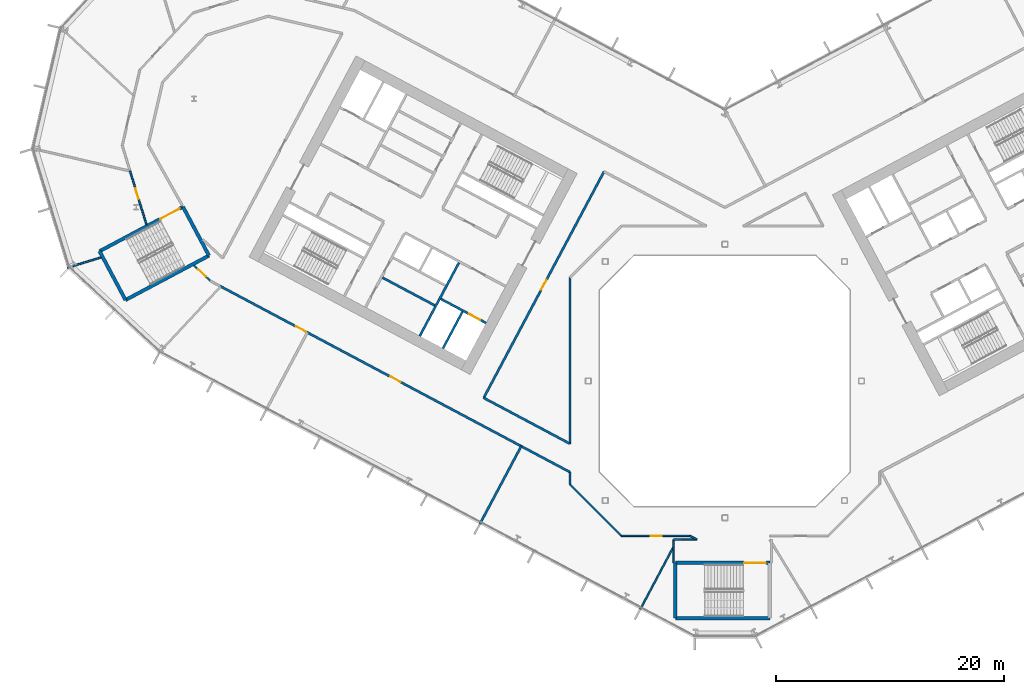
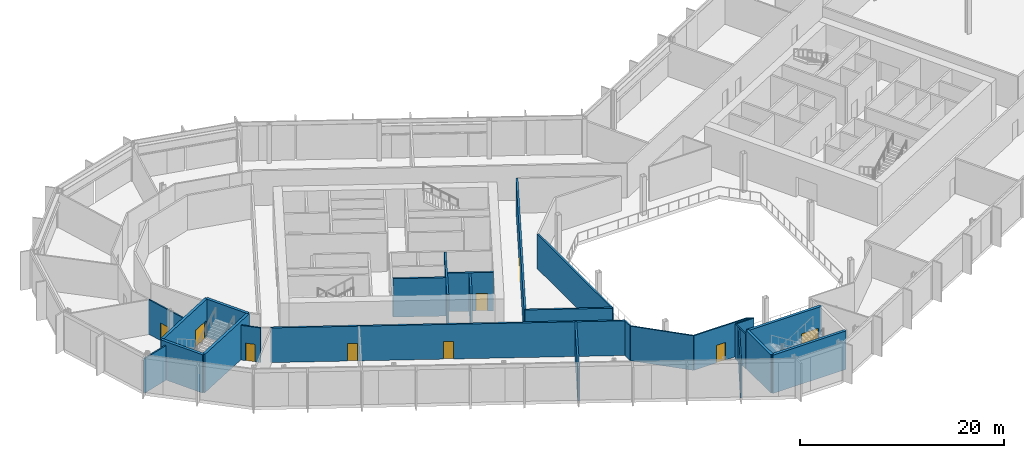
# One storey, part 14 of 31: 26 walls, 9 doors, 9 openings.
"""IFC4 building model written with IfcOpenShell, lengths in metres."""

from ifc_helpers import new_model, si_unit, direction, frame, frame_2d, origin, place, context, subcontext, project, spatial, rectangle, extrude, material, layer, layer_set, type_object, element, fill, save


model = new_model("IFC4")

# Units and contexts
model_context = context("Model", 3, precision=1e-05, world=origin(), true_north=direction((0.0, 1.0)))
body_context = subcontext(model_context, "Body", "Model", "MODEL_VIEW")
ifc_project = project(units=[si_unit("LENGTHUNIT", "METRE"), si_unit("AREAUNIT", "SQUARE_METRE"), si_unit("VOLUMEUNIT", "CUBIC_METRE"), si_unit("PLANEANGLEUNIT", "RADIAN"), si_unit("MASSUNIT", "GRAM", prefix="KILO")], contexts=[model_context])

# Site, building, storey
site_placement = place(None, origin())
site = spatial("IfcSite", under=ifc_project, at=site_placement, CompositionType="ELEMENT")
building_placement = place(site_placement, origin())
building = spatial("IfcBuilding", under=site, at=building_placement, Name="Cormorant Relay Tower", CompositionType="ELEMENT")
storey_placement = place(building_placement, frame((0.0, 0.0, 107.60009765625)))
storey = spatial("IfcBuildingStorey", under=building, at=storey_placement, Name="L21", CompositionType="ELEMENT", Elevation=107.60009765625)

# Walls
ifc_material_1 = material(Name="Concrete 40 MPa", Category="concrete")
ifc_layer_1 = layer(ifc_material_1, 0.199951171875)
ifc_layer_set_1 = layer_set([ifc_layer_1], Name="Core internal wall 200")
wall_type_1 = type_object("IfcWallType", Name="Core internal wall 200", PredefinedType="SOLIDWALL", material=ifc_layer_set_1)
wall_1_placement = place(storey_placement, frame((-25.46728515625, 6.632568359375, 0.0), z_axis=(0.0, 0.0, 1.0), x_axis=(-0.882953967957, 0.469459572775, 0.0)))
element("IfcWall", 1, at=wall_1_placement, inside=storey, type_object=wall_type_1, Name="L21 core A shaft and room wall", PredefinedType="SOLIDWALL", context=body_context, shape_type="SweptSolid", body=[
    extrude(rectangle(XDim=5.199951171875, YDim=0.199951171875, at=frame_2d((2.60009765625, 0.0))), origin(), (0.0, 0.0, 1.0), 4.599853515625),
])
ifc_material_2 = material(Name="Concrete 50 MPa", Category="concrete")
ifc_layer_2 = layer(ifc_material_2, 0.199951171875)
ifc_layer_set_2 = layer_set([ifc_layer_2], Name="Core shaft wall 200")
wall_type_2 = type_object("IfcWallType", Name="Core shaft wall 200", PredefinedType="SHEAR", material=ifc_layer_set_2)
wall_2_placement = place(storey_placement, frame((-23.04296875, 6.07958984375, 0.0), z_axis=(0.0, 0.0, 1.0), x_axis=(-0.469494272526, -0.882935517501, 0.0)))
element("IfcWall", 2, at=wall_2_placement, inside=storey, type_object=wall_type_2, Name="L21 core A shaft wall", PredefinedType="SHEAR", context=body_context, shape_type="SweptSolid", body=[
    extrude(rectangle(XDim=3.64990234375, YDim=0.199951171875, at=frame_2d((1.824951171875, 0.0))), origin(), (0.0, 0.0, 1.0), 4.599853515625),
])
wall_3_placement = place(storey_placement, frame((-23.360107421875, 10.38232421875, 0.0), z_axis=(0.0, 0.0, 1.0), x_axis=(-0.469480409012, -0.88294288918, 0.0)))
element("IfcWall", 3, at=wall_3_placement, inside=storey, type_object=wall_type_2, Name="L21 core A shaft wall", PredefinedType="SHEAR", context=body_context, shape_type="SweptSolid", body=[
    extrude(rectangle(XDim=7.300048828125, YDim=0.199951171875, at=frame_2d((3.64990234375, 0.0))), origin(), (0.0, 0.0, 1.0), 4.599853515625),
])

# Wall, opening, door
wall_4_placement = place(storey_placement, frame((-20.96533203125, 5.088134765625, 0.0), z_axis=(0.0, 0.0, 1.0), x_axis=(-0.882925986334, 0.469512196493, 0.0)))
wall_4 = element("IfcWall", 4, at=wall_4_placement, inside=storey, type_object=wall_type_2, Name="L21 core A shaft wall", PredefinedType="SHEAR", context=body_context, shape_type="SweptSolid", body=[
    extrude(rectangle(XDim=4.5, YDim=0.199951171875, at=frame_2d((2.25, 0.0))), origin(), (0.0, 0.0, 1.0), 4.599853515625),
])
opening_1_placement = place(wall_4_placement, frame((0.60009765625, 0.0, 0.0)))
opening_1 = element("IfcOpeningElement", 5, at=opening_1_placement, cuts=wall_4, Name="Opening LD1-027", PredefinedType="OPENING", context=body_context, shape_type="SweptSolid", body=[
    extrude(rectangle(XDim=1.10009765625, YDim=2.10009765625, at=frame_2d((0.550048828125, 1.050048828125))), frame((0.0, 0.10986328125, 0.0), z_axis=(0.0, -1.0, 0.0), x_axis=(1.0, 0.0, 0.0)), (0.0, 0.0, 1.0), 0.219970703125),
])
ifc_material_3 = material(Name="Stainless steel 316", Category="steel")
door_type_1 = type_object("IfcDoorType", Name="Lift landing door 1100x2100", OperationType="DOUBLE_DOOR_SLIDING", PredefinedType="DOOR", material=ifc_material_3)
door_1_placement = place(opening_1_placement, origin())
door_1 = element("IfcDoor", 6, at=door_1_placement, inside=storey, type_object=door_type_1, Name="FF1 landing door", OperationType="DOUBLE_DOOR_SLIDING", OverallHeight=2.10009765625, OverallWidth=1.10009765625, PredefinedType="DOOR", context=body_context, shape_type="SweptSolid", body=[
    extrude(rectangle(XDim=1.10009765625, YDim=2.10009765625, at=frame_2d((0.550048828125, 1.050048828125))), frame((0.0, 0.02490234375, 0.0), z_axis=(0.0, -1.0, 0.0), x_axis=(1.0, 0.0, 0.0)), (0.0, 0.0, 1.0), 0.050048828125),
])
fill(opening_1, door_1)

# Wall, openings, doors
ifc_material_4 = material(Name="Fire-rated gypsum board partition")
ifc_layer_3 = layer(ifc_material_4, 0.199951171875)
ifc_layer_set_3 = layer_set([ifc_layer_3], Name="Fire-rated gypsum partition 200")
wall_type_3 = type_object("IfcWallType", Name="Fire-rated gypsum partition 200", PredefinedType="PARTITIONING", material=ifc_layer_set_3)
wall_5_placement = place(storey_placement, frame((-13.60009765625, -8.001953125, 0.0), z_axis=(0.0, 0.0, 1.0), x_axis=(-0.882949686262, 0.469467625646, 0.0)))
wall_5 = element("IfcWall", 7, at=wall_5_placement, inside=storey, type_object=wall_type_3, Name="wall/L21/part/24", PredefinedType="PARTITIONING", context=body_context, shape_type="SweptSolid", body=[
    extrude(rectangle(XDim=34.794677734375, YDim=0.199951171875, at=frame_2d((17.3974609375, 0.0))), origin(), (0.0, 0.0, 1.0), 4.14990234375),
])
opening_2_placement = place(wall_5_placement, frame((26.25, 0.0, 0.0)))
opening_2 = element("IfcOpeningElement", 8, at=opening_2_placement, cuts=wall_5, Name="Opening FD1-121", PredefinedType="OPENING", context=body_context, shape_type="SweptSolid", body=[
    extrude(rectangle(XDim=1.0, YDim=2.10009765625, at=frame_2d((0.5, 1.050048828125))), frame((0.0, 0.10986328125, 0.0), z_axis=(0.0, -1.0, 0.0), x_axis=(1.0, 0.0, 0.0)), (0.0, 0.0, 1.0), 0.219970703125),
])
opening_3_placement = place(wall_5_placement, frame((16.85009765625, 0.0, 0.0)))
opening_3 = element("IfcOpeningElement", 9, at=opening_3_placement, cuts=wall_5, Name="Opening FD1-122", PredefinedType="OPENING", context=body_context, shape_type="SweptSolid", body=[
    extrude(rectangle(XDim=1.0, YDim=2.10009765625, at=frame_2d((0.5, 1.050048828125))), frame((0.0, 0.10986328125, 0.0), z_axis=(0.0, -1.0, 0.0), x_axis=(1.0, 0.0, 0.0)), (0.0, 0.0, 1.0), 0.219970703125),
])
ifc_material_5 = material(Name="Fire-rated steel door", Category="steel")
door_type_2 = type_object("IfcDoorType", Name="Fire door 1000 x 2100", OperationType="SINGLE_SWING_LEFT", PredefinedType="DOOR", material=ifc_material_5)
door_2_placement = place(opening_2_placement, origin())
door_2 = element("IfcDoor", 10, at=door_2_placement, inside=storey, type_object=door_type_2, Name="door/L21/20", OperationType="SINGLE_SWING_LEFT", OverallHeight=2.10009765625, OverallWidth=1.0, PredefinedType="DOOR", context=body_context, shape_type="SweptSolid", body=[
    extrude(rectangle(XDim=1.0, YDim=2.10009765625, at=frame_2d((0.5, 1.050048828125))), frame((0.0, 0.02490234375, 0.0), z_axis=(0.0, -1.0, 0.0), x_axis=(1.0, 0.0, 0.0)), (0.0, 0.0, 1.0), 0.050048828125),
])
fill(opening_2, door_2)
door_3_placement = place(opening_3_placement, origin())
door_3 = element("IfcDoor", 11, at=door_3_placement, inside=storey, type_object=door_type_2, Name="door/L21/21", OperationType="SINGLE_SWING_LEFT", OverallHeight=2.10009765625, OverallWidth=1.0, PredefinedType="DOOR", context=body_context, shape_type="SweptSolid", body=[
    extrude(rectangle(XDim=1.0, YDim=2.10009765625, at=frame_2d((0.5, 1.050048828125))), frame((0.0, 0.02490234375, 0.0), z_axis=(0.0, -1.0, 0.0), x_axis=(1.0, 0.0, 0.0)), (0.0, 0.0, 1.0), 0.050048828125),
])
fill(opening_3, door_3)

# Wall
wall_6_placement = place(storey_placement, frame((-17.881103515625, -5.72509765625, 0.0), z_axis=(0.0, 0.0, 1.0), x_axis=(-0.469513711464, -0.882925180719, 0.0)))
element("IfcWall", 12, at=wall_6_placement, inside=storey, type_object=wall_type_3, Name="wall/L21/part/28", PredefinedType="PARTITIONING", context=body_context, shape_type="SweptSolid", body=[
    extrude(rectangle(XDim=7.75048828125, YDim=0.199951171875, at=frame_2d((3.875244140625, 0.0))), origin(), (0.0, 0.0, 1.0), 4.14990234375),
])

# Wall, opening, door
wall_7_placement = place(storey_placement, frame((-21.175048828125, -1.48291015625, 0.0), z_axis=(0.0, 0.0, 1.0), x_axis=(0.469455871296, 0.882955935993, 0.0)))
wall_7 = element("IfcWall", 13, at=wall_7_placement, inside=storey, type_object=wall_type_3, Name="wall/L21/part/75", PredefinedType="PARTITIONING", context=body_context, shape_type="SweptSolid", body=[
    extrude(rectangle(XDim=22.50048828125, YDim=0.199951171875, at=frame_2d((11.250244140625, 0.0))), origin(), (0.0, 0.0, 1.0), 4.14990234375),
])
opening_4_placement = place(wall_7_placement, frame((10.75, 0.0, 0.0)))
opening_4 = element("IfcOpeningElement", 14, at=opening_4_placement, cuts=wall_7, Name="Opening FD1-120", PredefinedType="OPENING", context=body_context, shape_type="SweptSolid", body=[
    extrude(rectangle(XDim=1.0, YDim=2.10009765625, at=frame_2d((0.5, 1.050048828125))), frame((0.0, 0.10986328125, 0.0), z_axis=(0.0, -1.0, 0.0), x_axis=(1.0, 0.0, 0.0)), (0.0, 0.0, 1.0), 0.219970703125),
])
door_4_placement = place(opening_4_placement, frame((1.0, 0.0, 0.0), z_axis=(0.0, 0.0, 1.0), x_axis=(-1.0, 0.0, 0.0)))
door_4 = element("IfcDoor", 15, at=door_4_placement, inside=storey, type_object=door_type_2, Name="door/L21/2", OperationType="SINGLE_SWING_LEFT", OverallHeight=2.10009765625, OverallWidth=1.0, PredefinedType="DOOR", context=body_context, shape_type="SweptSolid", body=[
    extrude(rectangle(XDim=1.0, YDim=2.10009765625, at=frame_2d((0.5, 1.050048828125))), frame((0.0, 0.02490234375, 0.0), z_axis=(0.0, -1.0, 0.0), x_axis=(1.0, 0.0, 0.0)), (0.0, 0.0, 1.0), 0.050048828125),
])
fill(opening_4, door_4)

# Walls
wall_8_placement = place(storey_placement, frame((-13.60009765625, 9.076904296875, 0.0), z_axis=(0.0, 0.0, 1.0), x_axis=(0.0, -1.0, 0.0)))
element("IfcWall", 16, at=wall_8_placement, inside=storey, type_object=wall_type_3, Name="wall/L21/part/79", PredefinedType="PARTITIONING", context=body_context, shape_type="SweptSolid", body=[
    extrude(rectangle(XDim=14.5869140625, YDim=0.199951171875, at=frame_2d((7.29345703125, 0.0))), origin(), (0.0, 0.0, 1.0), 4.14990234375),
])
wall_9_placement = place(storey_placement, frame((-13.60009765625, -5.510009765625, 0.0), z_axis=(0.0, 0.0, 1.0), x_axis=(-0.882975295816, 0.469419457392, 0.0)))
element("IfcWall", 17, at=wall_9_placement, inside=storey, type_object=wall_type_3, Name="wall/L21/part/80", PredefinedType="PARTITIONING", context=body_context, shape_type="SweptSolid", body=[
    extrude(rectangle(XDim=8.578857421875, YDim=0.199951171875, at=frame_2d((4.28955078125, 0.0))), origin(), (0.0, 0.0, 1.0), 4.14990234375),
])
ifc_material_6 = material(Name="Gypsum board partition")
ifc_layer_4 = layer(ifc_material_6, 0.14990234375)
ifc_layer_set_4 = layer_set([ifc_layer_4], Name="Gypsum board partition 150")
wall_type_4 = type_object("IfcWallType", Name="Gypsum board partition 150", PredefinedType="PARTITIONING", material=ifc_layer_set_4)
wall_10_placement = place(storey_placement, frame((-54.7607421875, 10.847900390625, 0.0), z_axis=(0.0, 0.0, 1.0), x_axis=(-0.956301064033, -0.29238378021, 0.0)))
element("IfcWall", 18, at=wall_10_placement, inside=storey, type_object=wall_type_4, Name="wall/L21/part/3", PredefinedType="PARTITIONING", context=body_context, shape_type="SweptSolid", body=[
    extrude(rectangle(XDim=3.115478515625, YDim=0.14990234375, at=frame_2d((1.5576171875, 0.0))), origin(), (0.0, 0.0, 1.0), 4.14990234375),
])

# Wall, opening, door
wall_11_placement = place(storey_placement, frame((-50.78857421875, 13.733642578125, 0.0), z_axis=(0.0, 0.0, 1.0), x_axis=(-0.292444580727, 0.956282472496, 0.0)))
wall_11 = element("IfcWall", 19, at=wall_11_placement, inside=storey, type_object=wall_type_4, Name="wall/L21/part/6", PredefinedType="PARTITIONING", context=body_context, shape_type="SweptSolid", body=[
    extrude(rectangle(XDim=4.96630859375, YDim=0.14990234375, at=frame_2d((2.483154296875, 0.0))), origin(), (0.0, 0.0, 1.0), 4.14990234375),
])
opening_5_placement = place(wall_11_placement, frame((2.31494140625, 0.0, 0.0)))
opening_5 = element("IfcOpeningElement", 20, at=opening_5_placement, cuts=wall_11, Name="Opening D1-052", PredefinedType="OPENING", context=body_context, shape_type="SweptSolid", body=[
    extrude(rectangle(XDim=1.0, YDim=2.10009765625, at=frame_2d((0.5, 1.050048828125))), frame((0.0, 0.0849609375, 0.0), z_axis=(0.0, -1.0, 0.0), x_axis=(1.0, 0.0, 0.0)), (0.0, 0.0, 1.0), 0.169921875),
])
ifc_material_7 = material(Name="Painted steel door", Category="steel")
door_type_3 = type_object("IfcDoorType", Name="Single door 1000 x 2100", OperationType="SINGLE_SWING_LEFT", PredefinedType="DOOR", material=ifc_material_7)
door_5_placement = place(opening_5_placement, origin())
door_5 = element("IfcDoor", 21, at=door_5_placement, inside=storey, type_object=door_type_3, Name="door/L21/18", OperationType="SINGLE_SWING_LEFT", OverallHeight=2.10009765625, OverallWidth=1.0, PredefinedType="DOOR", context=body_context, shape_type="SweptSolid", body=[
    extrude(rectangle(XDim=1.0, YDim=2.10009765625, at=frame_2d((0.5, 1.050048828125))), frame((0.0, 0.02490234375, 0.0), z_axis=(0.0, -1.0, 0.0), x_axis=(1.0, 0.0, 0.0)), (0.0, 0.0, 1.0), 0.050048828125),
])
fill(opening_5, door_5)

wall_12_placement = place(storey_placement, frame((-45.1689453125, 8.783935546875, 0.0), z_axis=(0.0, 0.0, 1.0), x_axis=(-0.731437429629, 0.681908561714, 0.0)))
wall_12 = element("IfcWall", 22, at=wall_12_placement, inside=storey, type_object=wall_type_4, Name="wall/L21/part/22", PredefinedType="PARTITIONING", context=body_context, shape_type="SweptSolid", body=[
    extrude(rectangle(XDim=1.996337890625, YDim=0.14990234375, at=frame_2d((0.998046875, 0.0))), origin(), (0.0, 0.0, 1.0), 4.14990234375),
])
opening_6_placement = place(wall_12_placement, frame((0.550048828125, 0.0, 0.0)))
opening_6 = element("IfcOpeningElement", 23, at=opening_6_placement, cuts=wall_12, Name="Opening D2-014", PredefinedType="OPENING", context=body_context, shape_type="SweptSolid", body=[
    extrude(rectangle(XDim=0.949951171875, YDim=2.10009765625, at=frame_2d((0.47509765625, 1.050048828125))), frame((0.0, 0.0849609375, 0.0), z_axis=(0.0, -1.0, 0.0), x_axis=(1.0, 0.0, 0.0)), (0.0, 0.0, 1.0), 0.169921875),
])
ifc_material_8 = material(Name="Timber door", Category="wood")
door_type_4 = type_object("IfcDoorType", Name="Toilet door 950 x 2100", OperationType="SINGLE_SWING_LEFT", PredefinedType="DOOR", material=ifc_material_8)
door_6_placement = place(opening_6_placement, origin())
door_6 = element("IfcDoor", 24, at=door_6_placement, inside=storey, type_object=door_type_4, Name="door/L21/19", OperationType="SINGLE_SWING_RIGHT", OverallHeight=2.10009765625, OverallWidth=0.949951171875, PredefinedType="DOOR", context=body_context, shape_type="SweptSolid", body=[
    extrude(rectangle(XDim=0.949951171875, YDim=2.10009765625, at=frame_2d((0.47509765625, 1.050048828125))), frame((0.0, 0.02490234375, 0.0), z_axis=(0.0, -1.0, 0.0), x_axis=(1.0, 0.0, 0.0)), (0.0, 0.0, 1.0), 0.050048828125),
])
fill(opening_6, door_6)

# Walls
wall_13_placement = place(storey_placement, frame((-13.60009765625, -9.076904296875, 0.0), z_axis=(0.0, 0.0, 1.0), x_axis=(0.0, 1.0, 0.0)))
element("IfcWall", 25, at=wall_13_placement, inside=storey, type_object=wall_type_4, Name="wall/L21/part/23", PredefinedType="PARTITIONING", context=body_context, shape_type="SweptSolid", body=[
    extrude(rectangle(XDim=1.074951171875, YDim=0.14990234375, at=frame_2d((0.53759765625, 0.0))), origin(), (0.0, 0.0, 1.0), 4.14990234375),
])
wall_14_placement = place(storey_placement, frame((-13.60009765625, -9.076904296875, 0.0), z_axis=(0.0, 0.0, 1.0), x_axis=(0.707106781187, -0.707106781187, 0.0)))
element("IfcWall", 26, at=wall_14_placement, inside=storey, type_object=wall_type_4, Name="wall/L21/part/36", PredefinedType="PARTITIONING", context=body_context, shape_type="SweptSolid", body=[
    extrude(rectangle(XDim=6.396728515625, YDim=0.14990234375, at=frame_2d((3.1982421875, 0.0))), origin(), (0.0, 0.0, 1.0), 4.14990234375),
])

# Wall, opening, door
wall_15_placement = place(storey_placement, frame((-9.076904296875, -13.60009765625, 0.0), z_axis=(0.0, 0.0, 1.0), x_axis=(0.999999860368, 0.000528455211, 0.0)))
wall_15 = element("IfcWall", 27, at=wall_15_placement, inside=storey, type_object=wall_type_4, Name="wall/L21/part/37", PredefinedType="PARTITIONING", context=body_context, shape_type="SweptSolid", body=[
    extrude(rectangle(XDim=6.005859375, YDim=0.14990234375, at=frame_2d((3.0029296875, 0.0))), origin(), (0.0, 0.0, 1.0), 4.14990234375),
])
opening_7_placement = place(wall_15_placement, frame((2.550048828125, 0.0, 0.0)))
opening_7 = element("IfcOpeningElement", 28, at=opening_7_placement, cuts=wall_15, Name="Opening D1-053", PredefinedType="OPENING", context=body_context, shape_type="SweptSolid", body=[
    extrude(rectangle(XDim=1.0, YDim=2.10009765625, at=frame_2d((0.5, 1.050048828125))), frame((0.0, 0.0849609375, 0.0), z_axis=(0.0, -1.0, 0.0), x_axis=(1.0, 0.0, 0.0)), (0.0, 0.0, 1.0), 0.169921875),
])
door_7_placement = place(opening_7_placement, frame((1.0, 0.0, 0.0), z_axis=(0.0, 0.0, 1.0), x_axis=(-1.0, 0.0, 0.0)))
door_7 = element("IfcDoor", 29, at=door_7_placement, inside=storey, type_object=door_type_3, Name="door/L21/22", OperationType="SINGLE_SWING_LEFT", OverallHeight=2.10009765625, OverallWidth=1.0, PredefinedType="DOOR", context=body_context, shape_type="SweptSolid", body=[
    extrude(rectangle(XDim=1.0, YDim=2.10009765625, at=frame_2d((0.5, 1.050048828125))), frame((0.0, 0.02490234375, 0.0), z_axis=(0.0, -1.0, 0.0), x_axis=(1.0, 0.0, 0.0)), (0.0, 0.0, 1.0), 0.050048828125),
])
fill(opening_7, door_7)

# Walls
wall_16_placement = place(storey_placement, frame((-3.071044921875, -13.596923828125, 0.0), z_axis=(0.0, 0.0, 1.0), x_axis=(0.883079874776, -0.469222692083, 0.0)))
element("IfcWall", 30, at=wall_16_placement, inside=storey, type_object=wall_type_4, Name="wall/L21/part/38", PredefinedType="PARTITIONING", context=body_context, shape_type="SweptSolid", body=[
    extrude(rectangle(XDim=0.70556640625, YDim=0.14990234375, at=frame_2d((0.352783203125, 0.0))), origin(), (0.0, 0.0, 1.0), 4.14990234375),
])
wall_17_placement = place(storey_placement, frame((-2.447998046875, -13.927978515625, 0.0), z_axis=(0.0, 0.0, 1.0), x_axis=(-0.999998980807, 0.001427720139, 0.0)))
element("IfcWall", 31, at=wall_17_placement, inside=storey, type_object=wall_type_4, Name="wall/L21/part/39", PredefinedType="PARTITIONING", context=body_context, shape_type="SweptSolid", body=[
    extrude(rectangle(XDim=2.052001953125, YDim=0.14990234375, at=frame_2d((1.02587890625, 0.0))), origin(), (0.0, 0.0, 1.0), 4.14990234375),
])
wall_18_placement = place(storey_placement, frame((-4.5, -13.925048828125, 0.0), z_axis=(0.0, 0.0, 1.0), x_axis=(0.0, -1.0, 0.0)))
element("IfcWall", 32, at=wall_18_placement, inside=storey, type_object=wall_type_4, Name="wall/L21/part/40", PredefinedType="PARTITIONING", context=body_context, shape_type="SweptSolid", body=[
    extrude(rectangle(XDim=2.050048828125, YDim=0.14990234375, at=frame_2d((1.02490234375, 0.0))), origin(), (0.0, 0.0, 1.0), 4.14990234375),
])
wall_19_placement = place(storey_placement, frame((-4.5, -14.532958984375, 0.0), z_axis=(0.0, 0.0, 1.0), x_axis=(-0.469522352041, -0.882920585859, 0.0)))
element("IfcWall", 33, at=wall_19_placement, inside=storey, type_object=wall_type_4, Name="wall/L21/part/41", PredefinedType="PARTITIONING", context=body_context, shape_type="SweptSolid", body=[
    extrude(rectangle(XDim=6.25537109375, YDim=0.14990234375, at=frame_2d((3.127685546875, 0.0))), origin(), (0.0, 0.0, 1.0), 4.14990234375),
])
ifc_material_9 = material(Name="Concrete 50 MPa", Category="concrete")
ifc_layer_5 = layer(ifc_material_9, 0.300048828125)
ifc_layer_set_5 = layer_set([ifc_layer_5], Name="Remote stair wall 300")
wall_type_5 = type_object("IfcWallType", Name="Remote stair wall 300", PredefinedType="SHEAR", material=ifc_layer_set_5)
wall_20_placement = place(storey_placement, frame((3.949951171875, -20.824951171875, 0.0), z_axis=(0.0, 0.0, 1.0), x_axis=(-1.0, 0.0, 0.0)))
element("IfcWall", 34, at=wall_20_placement, inside=storey, type_object=wall_type_5, Name="L21 exit stair RK1 wall", PredefinedType="SHEAR", context=body_context, shape_type="SweptSolid", body=[
    extrude(rectangle(XDim=8.300048828125, YDim=0.300048828125, at=frame_2d((4.14990234375, 0.0))), origin(), (0.0, 0.0, 1.0), 4.599853515625),
])
wall_21_placement = place(storey_placement, frame((-4.35009765625, -20.824951171875, 0.0), z_axis=(0.0, 0.0, 1.0), x_axis=(0.0, 1.0, 0.0)))
element("IfcWall", 35, at=wall_21_placement, inside=storey, type_object=wall_type_5, Name="L21 exit stair RK1 wall", PredefinedType="SHEAR", context=body_context, shape_type="SweptSolid", body=[
    extrude(rectangle(XDim=4.849853515625, YDim=0.300048828125, at=frame_2d((2.4248046875, 0.0))), origin(), (0.0, 0.0, 1.0), 4.599853515625),
])

# Wall, opening, door
wall_22_placement = place(storey_placement, frame((-4.35009765625, -15.97509765625, 0.0), z_axis=(0.0, 0.0, 1.0), x_axis=(1.0, 0.0, 0.0)))
wall_22 = element("IfcWall", 36, at=wall_22_placement, inside=storey, type_object=wall_type_5, Name="L21 exit stair RK1 wall", PredefinedType="SHEAR", context=body_context, shape_type="SweptSolid", body=[
    extrude(rectangle(XDim=8.300048828125, YDim=0.300048828125, at=frame_2d((4.14990234375, 0.0))), origin(), (0.0, 0.0, 1.0), 4.599853515625),
])
opening_8_placement = place(wall_22_placement, frame((6.050048828125, 0.0, 0.0)))
opening_8 = element("IfcOpeningElement", 37, at=opening_8_placement, cuts=wall_22, Name="Opening CDE-008", PredefinedType="OPENING", context=body_context, shape_type="SweptSolid", body=[
    extrude(rectangle(XDim=1.89990234375, YDim=2.10009765625, at=frame_2d((0.949951171875, 1.050048828125))), frame((0.0, 0.159912109375, 0.0), z_axis=(0.0, -1.0, 0.0), x_axis=(1.0, 0.0, 0.0)), (0.0, 0.0, 1.0), 0.320068359375),
])
ifc_material_10 = material(Name="Steel fire door", Category="steel")
door_type_5 = type_object("IfcDoorType", Name="Remote stair door 1900x2100", OperationType="DOUBLE_DOOR_SINGLE_SWING", PredefinedType="DOOR", material=ifc_material_10)
door_8_placement = place(opening_8_placement, frame((1.89990234375, 0.0, 0.0), z_axis=(0.0, 0.0, 1.0), x_axis=(-1.0, 0.0, 0.0)))
door_8 = element("IfcDoor", 38, at=door_8_placement, inside=storey, type_object=door_type_5, Name="Exit stair RK1 door", OperationType="DOUBLE_DOOR_SINGLE_SWING", OverallHeight=2.10009765625, OverallWidth=1.89990234375, PredefinedType="DOOR", context=body_context, shape_type="SweptSolid", body=[
    extrude(rectangle(XDim=1.89990234375, YDim=2.10009765625, at=frame_2d((0.949951171875, 1.050048828125))), frame((0.0, 0.02490234375, 0.0), z_axis=(0.0, -1.0, 0.0), x_axis=(1.0, 0.0, 0.0)), (0.0, 0.0, 1.0), 0.050048828125),
])
fill(opening_8, door_8)

# Walls
wall_23_placement = place(storey_placement, frame((-47.57421875, 15.28955078125, 0.0), z_axis=(0.0, 0.0, 1.0), x_axis=(0.469443498566, -0.882962514297, 0.0)))
element("IfcWall", 39, at=wall_23_placement, inside=storey, type_object=wall_type_5, Name="L21 exit stair RP1 wall", PredefinedType="SHEAR", context=body_context, shape_type="SweptSolid", body=[
    extrude(rectangle(XDim=4.85009765625, YDim=0.300048828125, at=frame_2d((2.425048828125, 0.0))), origin(), (0.0, 0.0, 1.0), 4.599853515625),
])
wall_24_placement = place(storey_placement, frame((-45.29736328125, 11.007080078125, 0.0), z_axis=(0.0, 0.0, 1.0), x_axis=(-0.882951519127, -0.469464178475, 0.0)))
element("IfcWall", 40, at=wall_24_placement, inside=storey, type_object=wall_type_5, Name="L21 exit stair RP1 wall", PredefinedType="SHEAR", context=body_context, shape_type="SweptSolid", body=[
    extrude(rectangle(XDim=8.2998046875, YDim=0.300048828125, at=frame_2d((4.14990234375, 0.0))), origin(), (0.0, 0.0, 1.0), 4.599853515625),
])
wall_25_placement = place(storey_placement, frame((-52.625732421875, 7.110595703125, 0.0), z_axis=(0.0, 0.0, 1.0), x_axis=(-0.469464364128, 0.882951420416, 0.0)))
element("IfcWall", 41, at=wall_25_placement, inside=storey, type_object=wall_type_5, Name="L21 exit stair RP1 wall", PredefinedType="SHEAR", context=body_context, shape_type="SweptSolid", body=[
    extrude(rectangle(XDim=4.849853515625, YDim=0.300048828125, at=frame_2d((2.4248046875, 0.0))), origin(), (0.0, 0.0, 1.0), 4.599853515625),
])

# Wall, opening, door
wall_26_placement = place(storey_placement, frame((-54.902587890625, 11.392822265625, 0.0), z_axis=(0.0, 0.0, 1.0), x_axis=(0.882939326045, 0.469487110071, 0.0)))
wall_26 = element("IfcWall", 42, at=wall_26_placement, inside=storey, type_object=wall_type_5, Name="L21 exit stair RP1 wall", PredefinedType="SHEAR", context=body_context, shape_type="SweptSolid", body=[
    extrude(rectangle(XDim=8.300048828125, YDim=0.300048828125, at=frame_2d((4.14990234375, 0.0))), origin(), (0.0, 0.0, 1.0), 4.599853515625),
])
opening_9_placement = place(wall_26_placement, frame((6.050048828125, 0.0, 0.0)))
opening_9 = element("IfcOpeningElement", 43, at=opening_9_placement, cuts=wall_26, Name="Opening CDE-009", PredefinedType="OPENING", context=body_context, shape_type="SweptSolid", body=[
    extrude(rectangle(XDim=1.89990234375, YDim=2.10009765625, at=frame_2d((0.949951171875, 1.050048828125))), frame((0.0, 0.159912109375, 0.0), z_axis=(0.0, -1.0, 0.0), x_axis=(1.0, 0.0, 0.0)), (0.0, 0.0, 1.0), 0.320068359375),
])
door_9_placement = place(opening_9_placement, frame((1.89990234375, 0.0, 0.0), z_axis=(0.0, 0.0, 1.0), x_axis=(-1.0, 0.0, 0.0)))
door_9 = element("IfcDoor", 44, at=door_9_placement, inside=storey, type_object=door_type_5, Name="Exit stair RP1 door", OperationType="DOUBLE_DOOR_SINGLE_SWING", OverallHeight=2.10009765625, OverallWidth=1.89990234375, PredefinedType="DOOR", context=body_context, shape_type="SweptSolid", body=[
    extrude(rectangle(XDim=1.89990234375, YDim=2.10009765625, at=frame_2d((0.949951171875, 1.050048828125))), frame((0.0, 0.02490234375, 0.0), z_axis=(0.0, -1.0, 0.0), x_axis=(1.0, 0.0, 0.0)), (0.0, 0.0, 1.0), 0.050048828125),
])
fill(opening_9, door_9)

save(model, "model.ifc")
